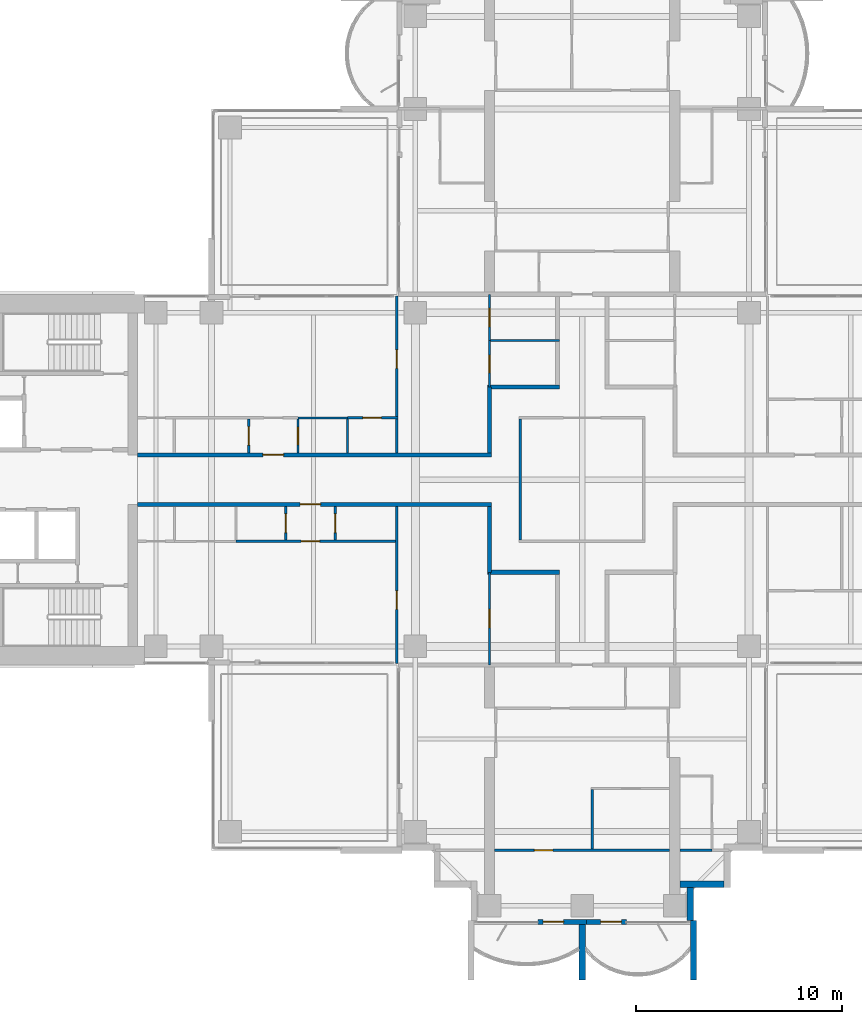
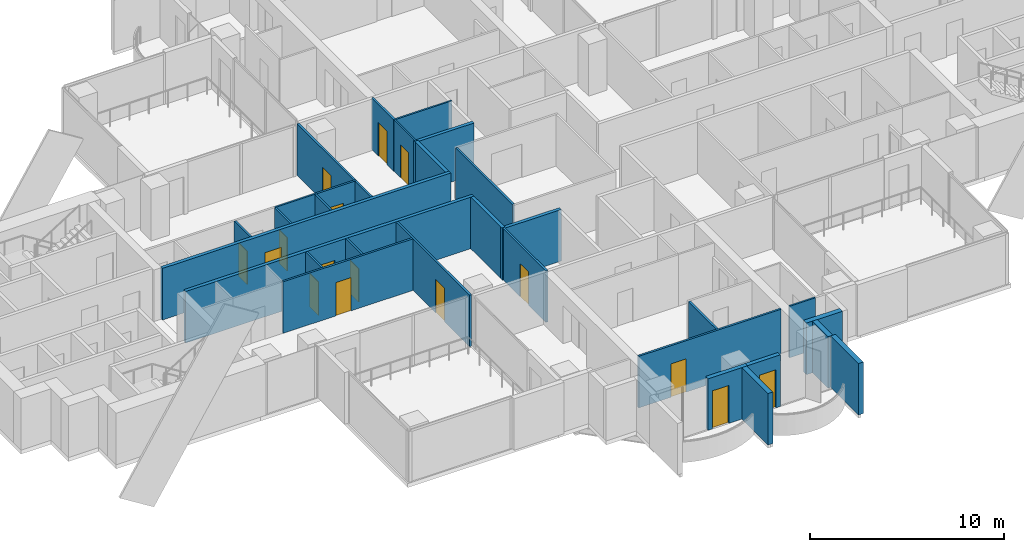
# One storey, part 10 of 19: 30 walls, 16 doors, 16 openings.
"""IFC4 building model written with IfcOpenShell, lengths in metres."""

from ifc_helpers import new_model, si_unit, direction, frame, frame_2d, origin, place, context, subcontext, project, spatial, rectangle, extrude, material, layer, layer_set, type_object, element, fill, save


model = new_model("IFC4")

# Units and contexts
model_context = context("Model", 3, precision=1e-05, world=origin(), true_north=direction((0.0, 1.0)))
body_context = subcontext(model_context, "Body", "Model", "MODEL_VIEW")
ifc_project = project(units=[si_unit("LENGTHUNIT", "METRE"), si_unit("AREAUNIT", "SQUARE_METRE"), si_unit("VOLUMEUNIT", "CUBIC_METRE"), si_unit("PLANEANGLEUNIT", "RADIAN"), si_unit("MASSUNIT", "GRAM", prefix="KILO")], contexts=[model_context])

# Site, building, storey
site_placement = place(None, origin())
site = spatial("IfcSite", under=ifc_project, at=site_placement, CompositionType="ELEMENT")
building_placement = place(site_placement, origin())
building = spatial("IfcBuilding", under=site, at=building_placement, Name="Perihelion Cross Residences", CompositionType="ELEMENT")
storey_placement = place(building_placement, frame((0.0, 0.0, 105.89990234375)))
storey = spatial("IfcBuildingStorey", under=building, at=storey_placement, Name="L24", CompositionType="ELEMENT", Elevation=105.89990234375)

# Wall, opening, door
ifc_material_1 = material(Name="Plasterboard partition")
ifc_layer_1 = layer(ifc_material_1, 0.199951171875)
ifc_layer_set_1 = layer_set([ifc_layer_1], Name="Apartment separation wall 200")
wall_type_1 = type_object("IfcWallType", Name="Apartment separation wall 200", PredefinedType="PARTITIONING", material=ifc_layer_set_1)
wall_1_placement = place(storey_placement, frame((-21.60009765625, 1.199951171875, 0.0), z_axis=(0.0, 0.0, 1.0), x_axis=(1.0, 0.0, 0.0)))
wall_1 = element("IfcWall", 1, at=wall_1_placement, inside=storey, type_object=wall_type_1, Name="Partition L24 W013", PredefinedType="PARTITIONING", context=body_context, shape_type="SweptSolid", body=[
    extrude(rectangle(XDim=17.2001953125, YDim=0.199951171875, at=frame_2d((8.60009765625, 0.0))), origin(), (0.0, 0.0, 1.0), 3.25),
])
opening_1_placement = place(wall_1_placement, frame((6.10009765625, 0.0, 0.0)))
opening_1 = element("IfcOpeningElement", 2, at=opening_1_placement, cuts=wall_1, Name="Opening L24.A48", PredefinedType="OPENING", context=body_context, shape_type="SweptSolid", body=[
    extrude(rectangle(XDim=1.0, YDim=2.10009765625, at=frame_2d((0.5, 1.050048828125))), frame((0.0, 0.10986328125, 0.0), z_axis=(0.0, -1.0, 0.0), x_axis=(1.0, 0.0, 0.0)), (0.0, 0.0, 1.0), 0.219970703125),
])
ifc_material_2 = material(Name="Timber door leaf", Category="wood")
door_type_1 = type_object("IfcDoorType", Name="Flat entrance door 1000 x 2100", OperationType="SINGLE_SWING_LEFT", PredefinedType="DOOR", material=ifc_material_2)
door_1_placement = place(opening_1_placement, origin())
door_1 = element("IfcDoor", 3, at=door_1_placement, inside=storey, type_object=door_type_1, Name="Door L24.A48", OperationType="SINGLE_SWING_RIGHT", OverallHeight=2.10009765625, OverallWidth=1.0, PredefinedType="DOOR", context=body_context, shape_type="SweptSolid", body=[
    extrude(rectangle(XDim=1.0, YDim=2.10009765625, at=frame_2d((0.5, 1.050048828125))), frame((0.0, 0.02490234375, 0.0), z_axis=(0.0, -1.0, 0.0), x_axis=(1.0, 0.0, 0.0)), (0.0, 0.0, 1.0), 0.050048828125),
])
fill(opening_1, door_1)

# Walls
wall_2_placement = place(storey_placement, frame((-4.5, 1.300048828125, 0.0), z_axis=(0.0, 0.0, 1.0), x_axis=(0.0, 1.0, 0.0)))
element("IfcWall", 4, at=wall_2_placement, inside=storey, type_object=wall_type_1, Name="Partition L24 W014", PredefinedType="PARTITIONING", context=body_context, shape_type="SweptSolid", body=[
    extrude(rectangle(XDim=3.199951171875, YDim=0.199951171875, at=frame_2d((1.60009765625, 0.0))), origin(), (0.0, 0.0, 1.0), 3.25),
])
wall_3_placement = place(storey_placement, frame((-4.60009765625, 4.5, 0.0), z_axis=(0.0, 0.0, 1.0), x_axis=(1.0, 0.0, 0.0)))
element("IfcWall", 5, at=wall_3_placement, inside=storey, type_object=wall_type_1, Name="Partition L24 W015", PredefinedType="PARTITIONING", context=body_context, shape_type="SweptSolid", body=[
    extrude(rectangle(XDim=3.5, YDim=0.199951171875, at=frame_2d((1.75, 0.0))), origin(), (0.0, 0.0, 1.0), 3.25),
])

# Wall, opening, door
wall_4_placement = place(storey_placement, frame((-4.39990234375, -1.199951171875, 0.0), z_axis=(0.0, 0.0, 1.0), x_axis=(-1.0, 0.0, 0.0)))
wall_4 = element("IfcWall", 6, at=wall_4_placement, inside=storey, type_object=wall_type_1, Name="Partition L24 W017", PredefinedType="PARTITIONING", context=body_context, shape_type="SweptSolid", body=[
    extrude(rectangle(XDim=17.2001953125, YDim=0.199951171875, at=frame_2d((8.60009765625, 0.0))), origin(), (0.0, 0.0, 1.0), 3.25),
])
opening_2_placement = place(wall_4_placement, frame((8.300048828125, 0.0, 0.0)))
opening_2 = element("IfcOpeningElement", 7, at=opening_2_placement, cuts=wall_4, Name="Opening L24.A49", PredefinedType="OPENING", context=body_context, shape_type="SweptSolid", body=[
    extrude(rectangle(XDim=1.0, YDim=2.10009765625, at=frame_2d((0.5, 1.050048828125))), frame((0.0, 0.10986328125, 0.0), z_axis=(0.0, -1.0, 0.0), x_axis=(1.0, 0.0, 0.0)), (0.0, 0.0, 1.0), 0.219970703125),
])
door_2_placement = place(opening_2_placement, origin())
door_2 = element("IfcDoor", 8, at=door_2_placement, inside=storey, type_object=door_type_1, Name="Door L24.A49", OperationType="SINGLE_SWING_RIGHT", OverallHeight=2.10009765625, OverallWidth=1.0, PredefinedType="DOOR", context=body_context, shape_type="SweptSolid", body=[
    extrude(rectangle(XDim=1.0, YDim=2.10009765625, at=frame_2d((0.5, 1.050048828125))), frame((0.0, 0.02490234375, 0.0), z_axis=(0.0, -1.0, 0.0), x_axis=(1.0, 0.0, 0.0)), (0.0, 0.0, 1.0), 0.050048828125),
])
fill(opening_2, door_2)

# Walls
wall_5_placement = place(storey_placement, frame((-4.5, -4.5, 0.0), z_axis=(0.0, 0.0, 1.0), x_axis=(0.0, 1.0, 0.0)))
element("IfcWall", 9, at=wall_5_placement, inside=storey, type_object=wall_type_1, Name="Partition L24 W018", PredefinedType="PARTITIONING", context=body_context, shape_type="SweptSolid", body=[
    extrude(rectangle(XDim=3.199951171875, YDim=0.199951171875, at=frame_2d((1.60009765625, 0.0))), origin(), (0.0, 0.0, 1.0), 3.25),
])
wall_6_placement = place(storey_placement, frame((-1.10009765625, -4.5, 0.0), z_axis=(0.0, 0.0, 1.0), x_axis=(-1.0, 0.0, 0.0)))
element("IfcWall", 10, at=wall_6_placement, inside=storey, type_object=wall_type_1, Name="Partition L24 W020", PredefinedType="PARTITIONING", context=body_context, shape_type="SweptSolid", body=[
    extrude(rectangle(XDim=3.5, YDim=0.199951171875, at=frame_2d((1.75, 0.0))), origin(), (0.0, 0.0, 1.0), 3.25),
])

# Wall, opening, door
ifc_material_3 = material(Name="Concrete C30/37, bronze-clad", Category="concrete")
ifc_layer_2 = layer(ifc_material_3, 0.25)
ifc_layer_set_2 = layer_set([ifc_layer_2], Name="Bronze-clad pier wall 250")
wall_type_2 = type_object("IfcWallType", Name="Bronze-clad pier wall 250", PredefinedType="SOLIDWALL", material=ifc_layer_set_2)
wall_7_placement = place(storey_placement, frame((-2.14990234375, -21.47509765625, 0.0), z_axis=(0.0, 0.0, 1.0), x_axis=(1.0, 0.0, 0.0)))
wall_7 = element("IfcWall", 11, at=wall_7_placement, inside=storey, type_object=wall_type_2, Name="Wall FW1 L24 south tip south bay 1 pier", PredefinedType="SOLIDWALL", context=body_context, shape_type="SweptSolid", body=[
    extrude(rectangle(XDim=2.349853515625, YDim=0.25, at=frame_2d((1.1748046875, 0.0))), origin(), (0.0, 0.0, 1.0), 3.25),
])
opening_3_placement = place(wall_7_placement, frame((0.25, 0.0, 0.0)))
opening_3 = element("IfcOpeningElement", 12, at=opening_3_placement, cuts=wall_7, Name="Opening L24.E11", PredefinedType="OPENING", context=body_context, shape_type="SweptSolid", body=[
    extrude(rectangle(XDim=1.0, YDim=2.39990234375, at=frame_2d((0.5, 1.199951171875))), frame((0.0, 0.135009765625, 0.0), z_axis=(0.0, -1.0, 0.0), x_axis=(1.0, 0.0, 0.0)), (0.0, 0.0, 1.0), 0.27001953125),
])
ifc_material_4 = material(Name="Bronze anodised aluminium, glazed", Category="aluminium")
door_type_2 = type_object("IfcDoorType", Name="Balcony door 1000 x 2400", OperationType="NOTDEFINED", PredefinedType="DOOR", material=ifc_material_4)
door_3_placement = place(opening_3_placement, origin())
door_3 = element("IfcDoor", 13, at=door_3_placement, inside=storey, type_object=door_type_2, Name="Door L24.E11 south tip south bay 1", OperationType="SINGLE_SWING_RIGHT", OverallHeight=2.39990234375, OverallWidth=1.0, PredefinedType="DOOR", context=body_context, shape_type="SweptSolid", body=[
    extrude(rectangle(XDim=1.0, YDim=2.39990234375, at=frame_2d((0.5, 1.199951171875))), frame((0.0, 0.02490234375, 0.0), z_axis=(0.0, -1.0, 0.0), x_axis=(1.0, 0.0, 0.0)), (0.0, 0.0, 1.0), 0.050048828125),
])
fill(opening_3, door_3)

wall_8_placement = place(storey_placement, frame((0.199951171875, -21.47509765625, 0.0), z_axis=(0.0, 0.0, 1.0), x_axis=(1.0, 0.0, 0.0)))
wall_8 = element("IfcWall", 14, at=wall_8_placement, inside=storey, type_object=wall_type_2, Name="Wall FW1 L24 south tip south bay 2 pier", PredefinedType="SOLIDWALL", context=body_context, shape_type="SweptSolid", body=[
    extrude(rectangle(XDim=1.949951171875, YDim=0.25, at=frame_2d((0.97509765625, 0.0))), origin(), (0.0, 0.0, 1.0), 3.25),
])
opening_4_placement = place(wall_8_placement, frame((0.699951171875, 0.0, 0.0)))
opening_4 = element("IfcOpeningElement", 15, at=opening_4_placement, cuts=wall_8, Name="Opening L24.E12", PredefinedType="OPENING", context=body_context, shape_type="SweptSolid", body=[
    extrude(rectangle(XDim=1.0, YDim=2.39990234375, at=frame_2d((0.5, 1.199951171875))), frame((0.0, 0.135009765625, 0.0), z_axis=(0.0, -1.0, 0.0), x_axis=(1.0, 0.0, 0.0)), (0.0, 0.0, 1.0), 0.27001953125),
])
door_4_placement = place(opening_4_placement, origin())
door_4 = element("IfcDoor", 16, at=door_4_placement, inside=storey, type_object=door_type_2, Name="Door L24.E12 south tip south bay 2", OperationType="SINGLE_SWING_LEFT", OverallHeight=2.39990234375, OverallWidth=1.0, PredefinedType="DOOR", context=body_context, shape_type="SweptSolid", body=[
    extrude(rectangle(XDim=1.0, YDim=2.39990234375, at=frame_2d((0.5, 1.199951171875))), frame((0.0, 0.02490234375, 0.0), z_axis=(0.0, -1.0, 0.0), x_axis=(1.0, 0.0, 0.0)), (0.0, 0.0, 1.0), 0.050048828125),
])
fill(opening_4, door_4)

# Walls
ifc_material_5 = material(Name="Concrete C30/37, bronze-clad", Category="concrete")
ifc_layer_3 = layer(ifc_material_5, 0.300048828125)
ifc_layer_set_3 = layer_set([ifc_layer_3], Name="Bronze-clad serration wall 300")
wall_type_3 = type_object("IfcWallType", Name="Bronze-clad serration wall 300", PredefinedType="SOLIDWALL", material=ifc_layer_set_3)
wall_9_placement = place(storey_placement, frame((5.25, -21.419921875, 0.0), z_axis=(0.0, 0.0, 1.0), x_axis=(0.0, 1.0, 0.0)))
element("IfcWall", 17, at=wall_9_placement, inside=storey, type_object=wall_type_3, Name="Wall SR1 L24 south corner south-east 1", PredefinedType="SOLIDWALL", context=body_context, shape_type="SweptSolid", body=[
    extrude(rectangle(XDim=1.619873046875, YDim=0.300048828125, at=frame_2d((0.81005859375, 0.0))), origin(), (0.0, 0.0, 1.0), 3.25),
])
wall_10_placement = place(storey_placement, frame((4.75, -19.64990234375, 0.0), z_axis=(0.0, 0.0, 1.0), x_axis=(1.0, 0.0, 0.0)))
element("IfcWall", 18, at=wall_10_placement, inside=storey, type_object=wall_type_3, Name="Wall SR1 L24 south corner south-east 2", PredefinedType="SOLIDWALL", context=body_context, shape_type="SweptSolid", body=[
    extrude(rectangle(XDim=2.14990234375, YDim=0.300048828125, at=frame_2d((1.074951171875, 0.0))), origin(), (0.0, 0.0, 1.0), 3.25),
])
ifc_material_6 = material(Name="Plasterboard partition")
ifc_layer_4 = layer(ifc_material_6, 0.1201171875)
ifc_layer_set_4 = layer_set([ifc_layer_4], Name="Partition wall 120")
wall_type_4 = type_object("IfcWallType", Name="Partition wall 120", PredefinedType="PARTITIONING", material=ifc_layer_set_4)
wall_11_placement = place(storey_placement, frame((-3.0, 2.93994140625, 0.0), z_axis=(0.0, 0.0, 1.0), x_axis=(0.0, -1.0, 0.0)))
element("IfcWall", 19, at=wall_11_placement, inside=storey, type_object=wall_type_4, Name="Partition L24 W004", PredefinedType="PARTITIONING", context=body_context, shape_type="SweptSolid", body=[
    extrude(rectangle(XDim=5.8798828125, YDim=0.1201171875, at=frame_2d((2.93994140625, 0.0))), origin(), (0.0, 0.0, 1.0), 3.25),
])

# Wall, opening, door
wall_12_placement = place(storey_placement, frame((-11.39990234375, 3.0, 0.0), z_axis=(0.0, 0.0, 1.0), x_axis=(1.0, 0.0, 0.0)))
wall_12 = element("IfcWall", 20, at=wall_12_placement, inside=storey, type_object=wall_type_4, Name="Partition L24 W043", PredefinedType="PARTITIONING", context=body_context, shape_type="SweptSolid", body=[
    extrude(rectangle(XDim=2.4599609375, YDim=0.1201171875, at=frame_2d((1.22998046875, 0.0))), origin(), (0.0, 0.0, 1.0), 3.25),
])
opening_5_placement = place(wall_12_placement, frame((0.75, 0.0, 0.0)))
opening_5 = element("IfcOpeningElement", 21, at=opening_5_placement, cuts=wall_12, Name="Opening L24.A24", PredefinedType="OPENING", context=body_context, shape_type="SweptSolid", body=[
    extrude(rectangle(XDim=0.89990234375, YDim=2.10009765625, at=frame_2d((0.449951171875, 1.050048828125))), frame((0.0, 0.070068359375, 0.0), z_axis=(0.0, -1.0, 0.0), x_axis=(1.0, 0.0, 0.0)), (0.0, 0.0, 1.0), 0.14013671875),
])
ifc_material_7 = material(Name="Timber door leaf", Category="wood")
door_type_3 = type_object("IfcDoorType", Name="Interior room door 900 x 2100", OperationType="SINGLE_SWING_LEFT", PredefinedType="DOOR", material=ifc_material_7)
door_5_placement = place(opening_5_placement, origin())
door_5 = element("IfcDoor", 22, at=door_5_placement, inside=storey, type_object=door_type_3, Name="Door L24.A24", OperationType="SINGLE_SWING_RIGHT", OverallHeight=2.10009765625, OverallWidth=0.89990234375, PredefinedType="DOOR", context=body_context, shape_type="SweptSolid", body=[
    extrude(rectangle(XDim=0.89990234375, YDim=2.10009765625, at=frame_2d((0.449951171875, 1.050048828125))), frame((0.0, 0.02490234375, 0.0), z_axis=(0.0, -1.0, 0.0), x_axis=(1.0, 0.0, 0.0)), (0.0, 0.0, 1.0), 0.050048828125),
])
fill(opening_5, door_5)

wall_13_placement = place(storey_placement, frame((-9.0, 8.919921875, 0.0), z_axis=(0.0, 0.0, 1.0), x_axis=(0.0, -1.0, 0.0)))
wall_13 = element("IfcWall", 23, at=wall_13_placement, inside=storey, type_object=wall_type_4, Name="Partition L24 W044", PredefinedType="PARTITIONING", context=body_context, shape_type="SweptSolid", body=[
    extrude(rectangle(XDim=7.619873046875, YDim=0.1201171875, at=frame_2d((3.81005859375, 0.0))), origin(), (0.0, 0.0, 1.0), 3.25),
])
opening_6_placement = place(wall_13_placement, frame((2.6201171875, 0.0, 0.0)))
opening_6 = element("IfcOpeningElement", 24, at=opening_6_placement, cuts=wall_13, Name="Opening L24.A19", PredefinedType="OPENING", context=body_context, shape_type="SweptSolid", body=[
    extrude(rectangle(XDim=0.89990234375, YDim=2.10009765625, at=frame_2d((0.449951171875, 1.050048828125))), frame((0.0, 0.070068359375, 0.0), z_axis=(0.0, -1.0, 0.0), x_axis=(1.0, 0.0, 0.0)), (0.0, 0.0, 1.0), 0.14013671875),
])
door_6_placement = place(opening_6_placement, origin())
door_6 = element("IfcDoor", 25, at=door_6_placement, inside=storey, type_object=door_type_3, Name="Door L24.A19", OperationType="SINGLE_SWING_LEFT", OverallHeight=2.10009765625, OverallWidth=0.89990234375, PredefinedType="DOOR", context=body_context, shape_type="SweptSolid", body=[
    extrude(rectangle(XDim=0.89990234375, YDim=2.10009765625, at=frame_2d((0.449951171875, 1.050048828125))), frame((0.0, 0.02490234375, 0.0), z_axis=(0.0, -1.0, 0.0), x_axis=(1.0, 0.0, 0.0)), (0.0, 0.0, 1.0), 0.050048828125),
])
fill(opening_6, door_6)

wall_14_placement = place(storey_placement, frame((-16.199951171875, 1.300048828125, 0.0), z_axis=(0.0, 0.0, 1.0), x_axis=(0.0, 1.0, 0.0)))
wall_14 = element("IfcWall", 26, at=wall_14_placement, inside=storey, type_object=wall_type_4, Name="Partition L24 W047", PredefinedType="PARTITIONING", context=body_context, shape_type="SweptSolid", body=[
    extrude(rectangle(XDim=1.639892578125, YDim=0.1201171875, at=frame_2d((0.81982421875, 0.0))), origin(), (0.0, 0.0, 1.0), 3.25),
])
opening_7_placement = place(wall_14_placement, frame((0.3701171875, 0.0, 0.0)))
opening_7 = element("IfcOpeningElement", 27, at=opening_7_placement, cuts=wall_14, Name="Opening L24.A20", PredefinedType="OPENING", context=body_context, shape_type="SweptSolid", body=[
    extrude(rectangle(XDim=0.89990234375, YDim=2.10009765625, at=frame_2d((0.449951171875, 1.050048828125))), frame((0.0, 0.070068359375, 0.0), z_axis=(0.0, -1.0, 0.0), x_axis=(1.0, 0.0, 0.0)), (0.0, 0.0, 1.0), 0.14013671875),
])
door_7_placement = place(opening_7_placement, origin())
door_7 = element("IfcDoor", 28, at=door_7_placement, inside=storey, type_object=door_type_3, Name="Door L24.A20", OperationType="SINGLE_SWING_LEFT", OverallHeight=2.10009765625, OverallWidth=0.89990234375, PredefinedType="DOOR", context=body_context, shape_type="SweptSolid", body=[
    extrude(rectangle(XDim=0.89990234375, YDim=2.10009765625, at=frame_2d((0.449951171875, 1.050048828125))), frame((0.0, 0.02490234375, 0.0), z_axis=(0.0, -1.0, 0.0), x_axis=(1.0, 0.0, 0.0)), (0.0, 0.0, 1.0), 0.050048828125),
])
fill(opening_7, door_7)

wall_15_placement = place(storey_placement, frame((-4.5, 9.0, 0.0), z_axis=(0.0, 0.0, 1.0), x_axis=(0.0, -1.0, 0.0)))
wall_15 = element("IfcWall", 29, at=wall_15_placement, inside=storey, type_object=wall_type_4, Name="Partition L24 W051", PredefinedType="PARTITIONING", context=body_context, shape_type="SweptSolid", body=[
    extrude(rectangle(XDim=2.25, YDim=0.1201171875, at=frame_2d((1.125, 0.0))), origin(), (0.0, 0.0, 1.0), 3.25),
])
opening_8_placement = place(wall_15_placement, frame((0.675048828125, 0.0, 0.0)))
opening_8 = element("IfcOpeningElement", 30, at=opening_8_placement, cuts=wall_15, Name="Opening L24.A22", PredefinedType="OPENING", context=body_context, shape_type="SweptSolid", body=[
    extrude(rectangle(XDim=0.89990234375, YDim=2.10009765625, at=frame_2d((0.449951171875, 1.050048828125))), frame((0.0, 0.070068359375, 0.0), z_axis=(0.0, -1.0, 0.0), x_axis=(1.0, 0.0, 0.0)), (0.0, 0.0, 1.0), 0.14013671875),
])
door_8_placement = place(opening_8_placement, origin())
door_8 = element("IfcDoor", 31, at=door_8_placement, inside=storey, type_object=door_type_3, Name="Door L24.A22", OperationType="SINGLE_SWING_LEFT", OverallHeight=2.10009765625, OverallWidth=0.89990234375, PredefinedType="DOOR", context=body_context, shape_type="SweptSolid", body=[
    extrude(rectangle(XDim=0.89990234375, YDim=2.10009765625, at=frame_2d((0.449951171875, 1.050048828125))), frame((0.0, 0.02490234375, 0.0), z_axis=(0.0, -1.0, 0.0), x_axis=(1.0, 0.0, 0.0)), (0.0, 0.0, 1.0), 0.050048828125),
])
fill(opening_8, door_8)

wall_16_placement = place(storey_placement, frame((-12.0, -2.93994140625, 0.0), z_axis=(0.0, 0.0, 1.0), x_axis=(0.0, 1.0, 0.0)))
wall_16 = element("IfcWall", 32, at=wall_16_placement, inside=storey, type_object=wall_type_4, Name="Partition L24 W053", PredefinedType="PARTITIONING", context=body_context, shape_type="SweptSolid", body=[
    extrude(rectangle(XDim=1.639892578125, YDim=0.1201171875, at=frame_2d((0.81982421875, 0.0))), origin(), (0.0, 0.0, 1.0), 3.25),
])
opening_9_placement = place(wall_16_placement, frame((0.3701171875, 0.0, 0.0)))
opening_9 = element("IfcOpeningElement", 33, at=opening_9_placement, cuts=wall_16, Name="Opening L24.A27", PredefinedType="OPENING", context=body_context, shape_type="SweptSolid", body=[
    extrude(rectangle(XDim=0.89990234375, YDim=2.10009765625, at=frame_2d((0.449951171875, 1.050048828125))), frame((0.0, 0.070068359375, 0.0), z_axis=(0.0, -1.0, 0.0), x_axis=(1.0, 0.0, 0.0)), (0.0, 0.0, 1.0), 0.14013671875),
])
door_9_placement = place(opening_9_placement, origin())
door_9 = element("IfcDoor", 34, at=door_9_placement, inside=storey, type_object=door_type_3, Name="Door L24.A27", OperationType="SINGLE_SWING_RIGHT", OverallHeight=2.10009765625, OverallWidth=0.89990234375, PredefinedType="DOOR", context=body_context, shape_type="SweptSolid", body=[
    extrude(rectangle(XDim=0.89990234375, YDim=2.10009765625, at=frame_2d((0.449951171875, 1.050048828125))), frame((0.0, 0.02490234375, 0.0), z_axis=(0.0, -1.0, 0.0), x_axis=(1.0, 0.0, 0.0)), (0.0, 0.0, 1.0), 0.050048828125),
])
fill(opening_9, door_9)

wall_17_placement = place(storey_placement, frame((-8.93994140625, -3.0, 0.0), z_axis=(0.0, 0.0, 1.0), x_axis=(-1.0, 0.0, 0.0)))
wall_17 = element("IfcWall", 35, at=wall_17_placement, inside=storey, type_object=wall_type_4, Name="Partition L24 W054", PredefinedType="PARTITIONING", context=body_context, shape_type="SweptSolid", body=[
    extrude(rectangle(XDim=7.860107421875, YDim=0.1201171875, at=frame_2d((3.93017578125, 0.0))), origin(), (0.0, 0.0, 1.0), 3.25),
])
opening_10_placement = place(wall_17_placement, frame((3.81005859375, 0.0, 0.0)))
opening_10 = element("IfcOpeningElement", 36, at=opening_10_placement, cuts=wall_17, Name="Opening L24.A29", PredefinedType="OPENING", context=body_context, shape_type="SweptSolid", body=[
    extrude(rectangle(XDim=0.89990234375, YDim=2.10009765625, at=frame_2d((0.449951171875, 1.050048828125))), frame((0.0, 0.070068359375, 0.0), z_axis=(0.0, -1.0, 0.0), x_axis=(1.0, 0.0, 0.0)), (0.0, 0.0, 1.0), 0.14013671875),
])
door_10_placement = place(opening_10_placement, origin())
door_10 = element("IfcDoor", 37, at=door_10_placement, inside=storey, type_object=door_type_3, Name="Door L24.A29", OperationType="SINGLE_SWING_RIGHT", OverallHeight=2.10009765625, OverallWidth=0.89990234375, PredefinedType="DOOR", context=body_context, shape_type="SweptSolid", body=[
    extrude(rectangle(XDim=0.89990234375, YDim=2.10009765625, at=frame_2d((0.449951171875, 1.050048828125))), frame((0.0, 0.02490234375, 0.0), z_axis=(0.0, -1.0, 0.0), x_axis=(1.0, 0.0, 0.0)), (0.0, 0.0, 1.0), 0.050048828125),
])
fill(opening_10, door_10)

wall_18_placement = place(storey_placement, frame((-9.0, -1.300048828125, 0.0), z_axis=(0.0, 0.0, 1.0), x_axis=(0.0, -1.0, 0.0)))
wall_18 = element("IfcWall", 38, at=wall_18_placement, inside=storey, type_object=wall_type_4, Name="Partition L24 W055", PredefinedType="PARTITIONING", context=body_context, shape_type="SweptSolid", body=[
    extrude(rectangle(XDim=7.619873046875, YDim=0.1201171875, at=frame_2d((3.81005859375, 0.0))), origin(), (0.0, 0.0, 1.0), 3.25),
])
opening_11_placement = place(wall_18_placement, frame((4.10009765625, 0.0, 0.0)))
opening_11 = element("IfcOpeningElement", 39, at=opening_11_placement, cuts=wall_18, Name="Opening L24.A30", PredefinedType="OPENING", context=body_context, shape_type="SweptSolid", body=[
    extrude(rectangle(XDim=0.89990234375, YDim=2.10009765625, at=frame_2d((0.449951171875, 1.050048828125))), frame((0.0, 0.070068359375, 0.0), z_axis=(0.0, -1.0, 0.0), x_axis=(1.0, 0.0, 0.0)), (0.0, 0.0, 1.0), 0.14013671875),
])
door_11_placement = place(opening_11_placement, origin())
door_11 = element("IfcDoor", 40, at=door_11_placement, inside=storey, type_object=door_type_3, Name="Door L24.A30", OperationType="SINGLE_SWING_RIGHT", OverallHeight=2.10009765625, OverallWidth=0.89990234375, PredefinedType="DOOR", context=body_context, shape_type="SweptSolid", body=[
    extrude(rectangle(XDim=0.89990234375, YDim=2.10009765625, at=frame_2d((0.449951171875, 1.050048828125))), frame((0.0, 0.02490234375, 0.0), z_axis=(0.0, -1.0, 0.0), x_axis=(1.0, 0.0, 0.0)), (0.0, 0.0, 1.0), 0.050048828125),
])
fill(opening_11, door_11)

wall_19_placement = place(storey_placement, frame((-14.39990234375, -2.93994140625, 0.0), z_axis=(0.0, 0.0, 1.0), x_axis=(0.0, 1.0, 0.0)))
wall_19 = element("IfcWall", 41, at=wall_19_placement, inside=storey, type_object=wall_type_4, Name="Partition L24 W056", PredefinedType="PARTITIONING", context=body_context, shape_type="SweptSolid", body=[
    extrude(rectangle(XDim=1.639892578125, YDim=0.1201171875, at=frame_2d((0.81982421875, 0.0))), origin(), (0.0, 0.0, 1.0), 3.25),
])
opening_12_placement = place(wall_19_placement, frame((0.3701171875, 0.0, 0.0)))
opening_12 = element("IfcOpeningElement", 42, at=opening_12_placement, cuts=wall_19, Name="Opening L24.A31", PredefinedType="OPENING", context=body_context, shape_type="SweptSolid", body=[
    extrude(rectangle(XDim=0.89990234375, YDim=2.10009765625, at=frame_2d((0.449951171875, 1.050048828125))), frame((0.0, 0.070068359375, 0.0), z_axis=(0.0, -1.0, 0.0), x_axis=(1.0, 0.0, 0.0)), (0.0, 0.0, 1.0), 0.14013671875),
])
door_12_placement = place(opening_12_placement, origin())
door_12 = element("IfcDoor", 43, at=door_12_placement, inside=storey, type_object=door_type_3, Name="Door L24.A31", OperationType="SINGLE_SWING_LEFT", OverallHeight=2.10009765625, OverallWidth=0.89990234375, PredefinedType="DOOR", context=body_context, shape_type="SweptSolid", body=[
    extrude(rectangle(XDim=0.89990234375, YDim=2.10009765625, at=frame_2d((0.449951171875, 1.050048828125))), frame((0.0, 0.02490234375, 0.0), z_axis=(0.0, -1.0, 0.0), x_axis=(1.0, 0.0, 0.0)), (0.0, 0.0, 1.0), 0.050048828125),
])
fill(opening_12, door_12)

wall_20_placement = place(storey_placement, frame((-4.5, -4.5, 0.0), z_axis=(0.0, 0.0, 1.0), x_axis=(0.0, -1.0, 0.0)))
wall_20 = element("IfcWall", 44, at=wall_20_placement, inside=storey, type_object=wall_type_4, Name="Partition L24 W061", PredefinedType="PARTITIONING", context=body_context, shape_type="SweptSolid", body=[
    extrude(rectangle(XDim=4.5, YDim=0.1201171875, at=frame_2d((2.25, 0.0))), origin(), (0.0, 0.0, 1.0), 3.25),
])
opening_13_placement = place(wall_20_placement, frame((1.800048828125, 0.0, 0.0)))
opening_13 = element("IfcOpeningElement", 45, at=opening_13_placement, cuts=wall_20, Name="Opening L24.A26", PredefinedType="OPENING", context=body_context, shape_type="SweptSolid", body=[
    extrude(rectangle(XDim=0.89990234375, YDim=2.10009765625, at=frame_2d((0.449951171875, 1.050048828125))), frame((0.0, 0.070068359375, 0.0), z_axis=(0.0, -1.0, 0.0), x_axis=(1.0, 0.0, 0.0)), (0.0, 0.0, 1.0), 0.14013671875),
])
door_13_placement = place(opening_13_placement, origin())
door_13 = element("IfcDoor", 46, at=door_13_placement, inside=storey, type_object=door_type_3, Name="Door L24.A26", OperationType="SINGLE_SWING_RIGHT", OverallHeight=2.10009765625, OverallWidth=0.89990234375, PredefinedType="DOOR", context=body_context, shape_type="SweptSolid", body=[
    extrude(rectangle(XDim=0.89990234375, YDim=2.10009765625, at=frame_2d((0.449951171875, 1.050048828125))), frame((0.0, 0.02490234375, 0.0), z_axis=(0.0, -1.0, 0.0), x_axis=(1.0, 0.0, 0.0)), (0.0, 0.0, 1.0), 0.050048828125),
])
fill(opening_13, door_13)

# Wall
wall_21_placement = place(storey_placement, frame((0.5, -15.06005859375, 0.0), z_axis=(0.0, 0.0, 1.0), x_axis=(0.0, -1.0, 0.0)))
element("IfcWall", 47, at=wall_21_placement, inside=storey, type_object=wall_type_4, Name="Partition L24 W082", PredefinedType="PARTITIONING", context=body_context, shape_type="SweptSolid", body=[
    extrude(rectangle(XDim=2.8798828125, YDim=0.1201171875, at=frame_2d((1.43994140625, 0.0))), origin(), (0.0, 0.0, 1.0), 3.25),
])

# Wall, opening, door
wall_22_placement = place(storey_placement, frame((4.25, -18.0, 0.0), z_axis=(0.0, 0.0, 1.0), x_axis=(-1.0, 0.0, 0.0)))
wall_22 = element("IfcWall", 48, at=wall_22_placement, inside=storey, type_object=wall_type_4, Name="Partition L24 W083", PredefinedType="PARTITIONING", context=body_context, shape_type="SweptSolid", body=[
    extrude(rectangle(XDim=8.5, YDim=0.1201171875, at=frame_2d((4.25, 0.0))), origin(), (0.0, 0.0, 1.0), 3.25),
])
opening_14_placement = place(wall_22_placement, frame((5.675048828125, 0.0, 0.0)))
opening_14 = element("IfcOpeningElement", 49, at=opening_14_placement, cuts=wall_22, Name="Opening L24.A44", PredefinedType="OPENING", context=body_context, shape_type="SweptSolid", body=[
    extrude(rectangle(XDim=0.89990234375, YDim=2.10009765625, at=frame_2d((0.449951171875, 1.050048828125))), frame((0.0, 0.070068359375, 0.0), z_axis=(0.0, -1.0, 0.0), x_axis=(1.0, 0.0, 0.0)), (0.0, 0.0, 1.0), 0.14013671875),
])
door_14_placement = place(opening_14_placement, origin())
door_14 = element("IfcDoor", 50, at=door_14_placement, inside=storey, type_object=door_type_3, Name="Door L24.A44", OperationType="SINGLE_SWING_LEFT", OverallHeight=2.10009765625, OverallWidth=0.89990234375, PredefinedType="DOOR", context=body_context, shape_type="SweptSolid", body=[
    extrude(rectangle(XDim=0.89990234375, YDim=2.10009765625, at=frame_2d((0.449951171875, 1.050048828125))), frame((0.0, 0.02490234375, 0.0), z_axis=(0.0, -1.0, 0.0), x_axis=(1.0, 0.0, 0.0)), (0.0, 0.0, 1.0), 0.050048828125),
])
fill(opening_14, door_14)

# Walls
ifc_material_8 = material(Name="Precast concrete C50/60", Category="concrete")
ifc_layer_5 = layer(ifc_material_8, 0.300048828125)
ifc_layer_set_5 = layer_set([ifc_layer_5], Name="Precast concrete C50/60 blade wall 300")
wall_type_5 = type_object("IfcWallType", Name="Precast concrete C50/60 blade wall 300", PredefinedType="SOLIDWALL", material=ifc_layer_set_5)
wall_23_placement = place(storey_placement, frame((0.0, -21.60009765625, 0.0), z_axis=(0.0, 0.0, 1.0), x_axis=(0.0, -1.0, 0.0)))
element("IfcWall", 51, at=wall_23_placement, inside=storey, type_object=wall_type_5, Name="Wall BL1 L24 no. 8", PredefinedType="SOLIDWALL", context=body_context, shape_type="SweptSolid", body=[
    extrude(rectangle(XDim=2.699951171875, YDim=0.300048828125, at=frame_2d((1.35009765625, 0.0))), origin(), (0.0, 0.0, 1.0), 3.25),
])
wall_24_placement = place(storey_placement, frame((5.39990234375, -21.419921875, 0.0), z_axis=(0.0, 0.0, 1.0), x_axis=(0.0, -1.0, 0.0)))
element("IfcWall", 52, at=wall_24_placement, inside=storey, type_object=wall_type_5, Name="Wall BL1 L24 no. 12", PredefinedType="SOLIDWALL", context=body_context, shape_type="SweptSolid", body=[
    extrude(rectangle(XDim=2.880126953125, YDim=0.300048828125, at=frame_2d((1.43994140625, 0.0))), origin(), (0.0, 0.0, 1.0), 3.25),
])
ifc_material_9 = material(Name="Plasterboard partition")
ifc_layer_6 = layer(ifc_material_9, 0.10009765625)
ifc_layer_set_6 = layer_set([ifc_layer_6], Name="Wet room wall 100")
wall_type_6 = type_object("IfcWallType", Name="Wet room wall 100", PredefinedType="PARTITIONING", material=ifc_layer_set_6)
wall_25_placement = place(storey_placement, frame((-11.39990234375, 1.300048828125, 0.0), z_axis=(0.0, 0.0, 1.0), x_axis=(0.0, 1.0, 0.0)))
element("IfcWall", 53, at=wall_25_placement, inside=storey, type_object=wall_type_6, Name="Partition L24 W042", PredefinedType="PARTITIONING", context=body_context, shape_type="SweptSolid", body=[
    extrude(rectangle(XDim=1.639892578125, YDim=0.10009765625, at=frame_2d((0.81982421875, 0.0))), origin(), (0.0, 0.0, 1.0), 3.25),
])

# Wall, opening, door
wall_26_placement = place(storey_placement, frame((-13.800048828125, 1.300048828125, 0.0), z_axis=(0.0, 0.0, 1.0), x_axis=(0.0, 1.0, 0.0)))
wall_26 = element("IfcWall", 54, at=wall_26_placement, inside=storey, type_object=wall_type_6, Name="Partition L24 W045", PredefinedType="PARTITIONING", context=body_context, shape_type="SweptSolid", body=[
    extrude(rectangle(XDim=1.639892578125, YDim=0.10009765625, at=frame_2d((0.81982421875, 0.0))), origin(), (0.0, 0.0, 1.0), 3.25),
])
opening_15_placement = place(wall_26_placement, frame((0.39501953125, 0.0, 0.0)))
opening_15 = element("IfcOpeningElement", 55, at=opening_15_placement, cuts=wall_26, Name="Opening L24.A17", PredefinedType="OPENING", context=body_context, shape_type="SweptSolid", body=[
    extrude(rectangle(XDim=0.85009765625, YDim=2.10009765625, at=frame_2d((0.425048828125, 1.050048828125))), frame((0.0, 0.06005859375, 0.0), z_axis=(0.0, -1.0, 0.0), x_axis=(1.0, 0.0, 0.0)), (0.0, 0.0, 1.0), 0.1201171875),
])
ifc_material_10 = material(Name="Timber door leaf", Category="wood")
door_type_4 = type_object("IfcDoorType", Name="Interior bathroom door 850 x 2100", OperationType="SINGLE_SWING_LEFT", PredefinedType="DOOR", material=ifc_material_10)
door_15_placement = place(opening_15_placement, origin())
door_15 = element("IfcDoor", 56, at=door_15_placement, inside=storey, type_object=door_type_4, Name="Door L24.A17", OperationType="SINGLE_SWING_RIGHT", OverallHeight=2.10009765625, OverallWidth=0.85009765625, PredefinedType="DOOR", context=body_context, shape_type="SweptSolid", body=[
    extrude(rectangle(XDim=0.85009765625, YDim=2.10009765625, at=frame_2d((0.425048828125, 1.050048828125))), frame((0.0, 0.02490234375, 0.0), z_axis=(0.0, -1.0, 0.0), x_axis=(1.0, 0.0, 0.0)), (0.0, 0.0, 1.0), 0.050048828125),
])
fill(opening_15, door_15)

# Wall
wall_27_placement = place(storey_placement, frame((-13.800048828125, 3.0, 0.0), z_axis=(0.0, 0.0, 1.0), x_axis=(1.0, 0.0, 0.0)))
element("IfcWall", 57, at=wall_27_placement, inside=storey, type_object=wall_type_6, Name="Partition L24 W046", PredefinedType="PARTITIONING", context=body_context, shape_type="SweptSolid", body=[
    extrude(rectangle(XDim=2.400146484375, YDim=0.10009765625, at=frame_2d((1.2001953125, 0.0))), origin(), (0.0, 0.0, 1.0), 3.25),
])

# Wall, opening, door
wall_28_placement = place(storey_placement, frame((-4.5, 6.75, 0.0), z_axis=(0.0, 0.0, 1.0), x_axis=(0.0, -1.0, 0.0)))
wall_28 = element("IfcWall", 58, at=wall_28_placement, inside=storey, type_object=wall_type_6, Name="Partition L24 W050", PredefinedType="PARTITIONING", context=body_context, shape_type="SweptSolid", body=[
    extrude(rectangle(XDim=2.25, YDim=0.10009765625, at=frame_2d((1.125, 0.0))), origin(), (0.0, 0.0, 1.0), 3.25),
])
opening_16_placement = place(wall_28_placement, frame((0.699951171875, 0.0, 0.0)))
opening_16 = element("IfcOpeningElement", 59, at=opening_16_placement, cuts=wall_28, Name="Opening L24.A18", PredefinedType="OPENING", context=body_context, shape_type="SweptSolid", body=[
    extrude(rectangle(XDim=0.85009765625, YDim=2.10009765625, at=frame_2d((0.425048828125, 1.050048828125))), frame((0.0, 0.06005859375, 0.0), z_axis=(0.0, -1.0, 0.0), x_axis=(1.0, 0.0, 0.0)), (0.0, 0.0, 1.0), 0.1201171875),
])
door_16_placement = place(opening_16_placement, origin())
door_16 = element("IfcDoor", 60, at=door_16_placement, inside=storey, type_object=door_type_4, Name="Door L24.A18", OperationType="SINGLE_SWING_RIGHT", OverallHeight=2.10009765625, OverallWidth=0.85009765625, PredefinedType="DOOR", context=body_context, shape_type="SweptSolid", body=[
    extrude(rectangle(XDim=0.85009765625, YDim=2.10009765625, at=frame_2d((0.425048828125, 1.050048828125))), frame((0.0, 0.02490234375, 0.0), z_axis=(0.0, -1.0, 0.0), x_axis=(1.0, 0.0, 0.0)), (0.0, 0.0, 1.0), 0.050048828125),
])
fill(opening_16, door_16)

# Walls
wall_29_placement = place(storey_placement, frame((-4.56005859375, 6.75, 0.0), z_axis=(0.0, 0.0, 1.0), x_axis=(1.0, 0.0, 0.0)))
element("IfcWall", 61, at=wall_29_placement, inside=storey, type_object=wall_type_6, Name="Partition L24 W052", PredefinedType="PARTITIONING", context=body_context, shape_type="SweptSolid", body=[
    extrude(rectangle(XDim=3.4599609375, YDim=0.10009765625, at=frame_2d((1.72998046875, 0.0))), origin(), (0.0, 0.0, 1.0), 3.25),
])
wall_30_placement = place(storey_placement, frame((6.300048828125, -18.0, 0.0), z_axis=(0.0, 0.0, 1.0), x_axis=(-1.0, 0.0, 0.0)))
element("IfcWall", 62, at=wall_30_placement, inside=storey, type_object=wall_type_6, Name="Partition L24 W087", PredefinedType="PARTITIONING", context=body_context, shape_type="SweptSolid", body=[
    extrude(rectangle(XDim=1.550048828125, YDim=0.10009765625, at=frame_2d((0.77490234375, 0.0))), origin(), (0.0, 0.0, 1.0), 3.25),
])

save(model, "model.ifc")
